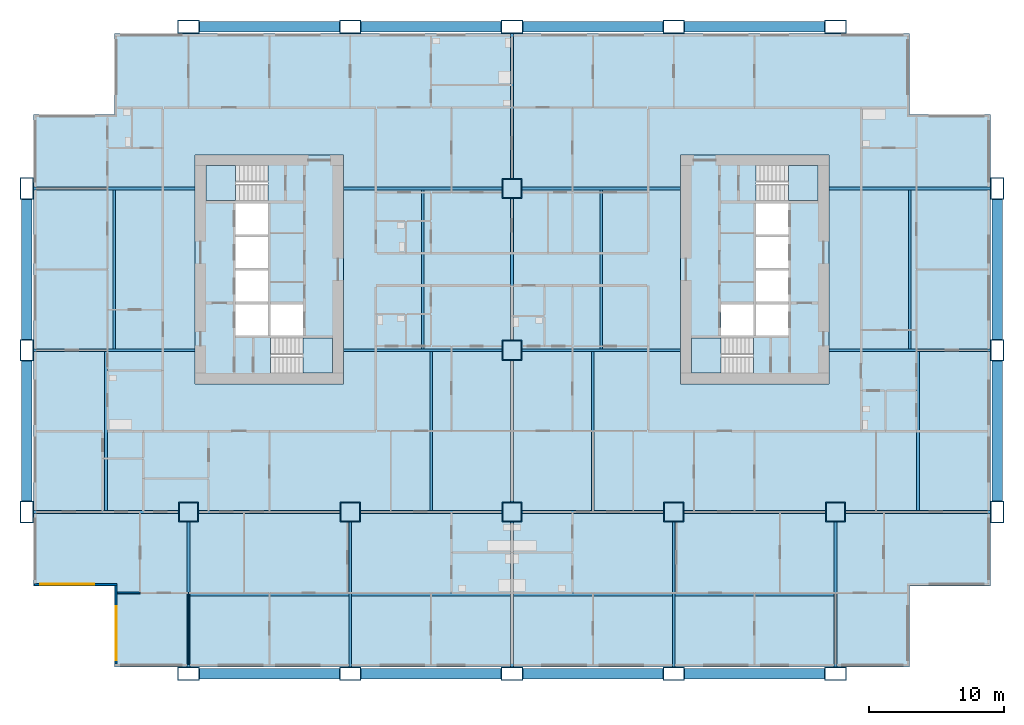
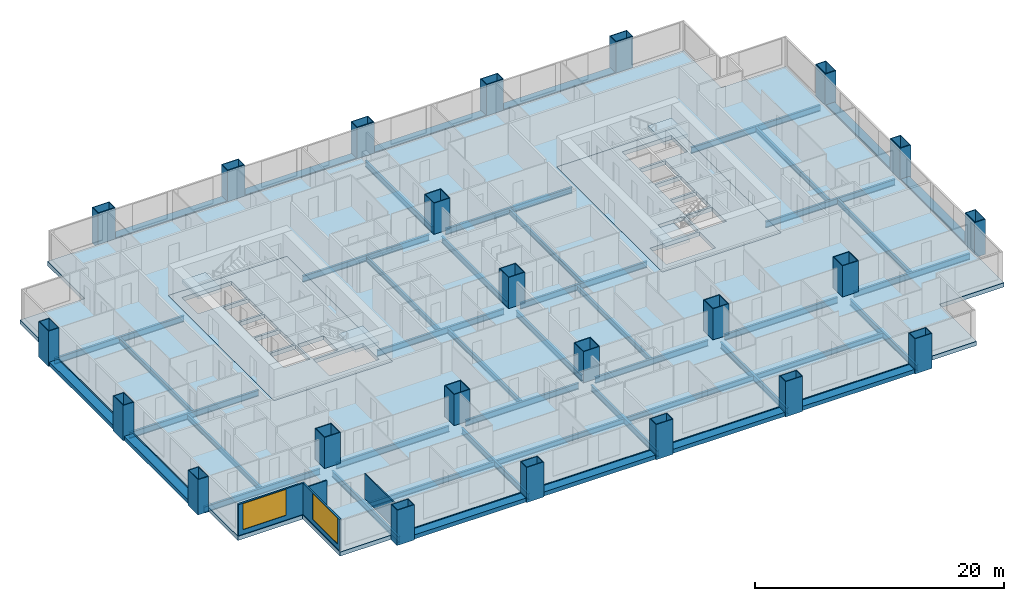
# One storey, part 1 of 14: 46 beams, 23 columns, 7 slabs, 4 walls, 2 windows, 2 openings, 4 elements without a shape of their own.
"""IFC4 building model written with IfcOpenShell, lengths in metres."""

from ifc_helpers import new_model, si_unit, direction, frame, frame_2d, origin, origin_2d, place, context, subcontext, project, spatial, polyline, rectangle, hollow_rectangle, i_section, outline, extrude, material, layer, layer_set, material_profile, profile_set, type_object, element, fill, aggregate, save


model = new_model("IFC4")

# Units and contexts
model_context = context("Model", 3, precision=1e-05, world=origin(), true_north=direction((0.0, 1.0)))
body_context = subcontext(model_context, "Body", "Model", "MODEL_VIEW")
ifc_project = project(units=[si_unit("LENGTHUNIT", "METRE"), si_unit("AREAUNIT", "SQUARE_METRE"), si_unit("VOLUMEUNIT", "CUBIC_METRE"), si_unit("PLANEANGLEUNIT", "RADIAN"), si_unit("MASSUNIT", "GRAM", prefix="KILO")], contexts=[model_context])

# Site, building, storey
site_placement = place(None, origin())
site = spatial("IfcSite", under=ifc_project, at=site_placement, CompositionType="ELEMENT")
building_placement = place(site_placement, origin())
building = spatial("IfcBuilding", under=site, at=building_placement, Name="Kitamizu Gate Tower and Museum", CompositionType="ELEMENT")
storey_placement = place(building_placement, frame((0.0, 0.0, 67.949951171875)))
storey = spatial("IfcBuildingStorey", under=building, at=storey_placement, Name="L16", CompositionType="ELEMENT", Elevation=67.949951171875)

# Columns
ifc_material_1 = material(Name="Steel SM490A bronze coated", Category="steel")
ifc_material_profile_1 = material_profile(ifc_material_1, hollow_rectangle(XDim=1.60009765625, YDim=1.0, WallThickness=0.06494140625, at=origin_2d()), Name="BOX 1600x1000x65")
ifc_profile_set_1 = profile_set([ifc_material_profile_1], Name="Steel SM490A bronze coated")
column_type_1 = type_object("IfcColumnType", Name="Exoskeleton column XC3 BOX 1600x1000x65", PredefinedType="COLUMN", material=ifc_profile_set_1)
for number, where, z_axis, x_axis, name in (
    (1, (0.0, 12.0, -0.39990234375), (0.0, 0.0, 1.0), (0.0, 1.0, 0.0), "Column XC3 1B L16"),
    (2, (0.0, 24.0, -0.39990234375), (0.0, 0.0, 1.0), (0.0, 1.0, 0.0), "Column XC3 1C L16"),
    (3, (0.0, 36.0, -0.39990234375), (0.0, 0.0, 1.0), (0.0, 1.0, 0.0), "Column XC3 1D L16"),
    (4, (12.0, 0.0, -0.39990234375), (0.0, 0.0, 1.0), (1.0, 0.0, 0.0), "Column XC3 2A L16"),
    (5, (12.0, 48.0, -0.39990234375), (0.0, 0.0, 1.0), (1.0, 0.0, 0.0), "Column XC3 2E L16"),
    (6, (24.0, 0.0, -0.39990234375), (0.0, 0.0, 1.0), (1.0, 0.0, 0.0), "Column XC3 3A L16"),
    (7, (24.0, 48.0, -0.39990234375), (0.0, 0.0, 1.0), (1.0, 0.0, 0.0), "Column XC3 3E L16"),
    (8, (36.0, 0.0, -0.39990234375), (0.0, 0.0, 1.0), (1.0, 0.0, 0.0), "Column XC3 4A L16"),
    (9, (36.0, 48.0, -0.39990234375), (0.0, 0.0, 1.0), (1.0, 0.0, 0.0), "Column XC3 4E L16"),
    (10, (48.0, 0.0, -0.39990234375), (0.0, 0.0, 1.0), (1.0, 0.0, 0.0), "Column XC3 5A L16"),
    (11, (48.0, 48.0, -0.39990234375), (0.0, 0.0, 1.0), (1.0, 0.0, 0.0), "Column XC3 5E L16"),
    (12, (60.0, 0.0, -0.39990234375), (0.0, 0.0, 1.0), (1.0, 0.0, 0.0), "Column XC3 6A L16"),
    (13, (60.0, 48.0, -0.39990234375), (0.0, 0.0, 1.0), (1.0, 0.0, 0.0), "Column XC3 6E L16"),
    (14, (72.0, 12.0, -0.39990234375), (0.0, 0.0, 1.0), (0.0, 1.0, 0.0), "Column XC3 7B L16"),
    (15, (72.0, 24.0, -0.39990234375), (0.0, 0.0, 1.0), (0.0, 1.0, 0.0), "Column XC3 7C L16"),
    (16, (72.0, 36.0, -0.39990234375), (0.0, 0.0, 1.0), (0.0, 1.0, 0.0), "Column XC3 7D L16"),
):
    element("IfcColumn", number, at=place(storey_placement, frame(where, z_axis=z_axis, x_axis=x_axis)), inside=storey, type_object=column_type_1, Name=name, PredefinedType="COLUMN", context=body_context, shape_type="SweptSolid", body=[
        extrude(hollow_rectangle(XDim=1.60009765625, YDim=1.0, WallThickness=0.06494140625, at=origin_2d()), origin(), (0.0, 0.0, 1.0), 3.449951171875),
    ])
ifc_material_2 = material(Name="Steel SM490A", Category="steel")
ifc_material_profile_2 = material_profile(ifc_material_2, hollow_rectangle(XDim=1.5, YDim=1.5, WallThickness=0.06494140625, at=origin_2d()), Name="BOX 1500x1500x65")
ifc_profile_set_2 = profile_set([ifc_material_profile_2], Name="Steel SM490A")
column_type_2 = type_object("IfcColumnType", Name="Interior column IC2 BOX 1500x1500x65", PredefinedType="COLUMN", material=ifc_profile_set_2)
for number, where, z_axis, x_axis, name in (
    (17, (12.0, 12.0, 0.0), (0.0, 0.0, 1.0), (1.0, 0.0, 0.0), "Column IC2 2B L16"),
    (18, (24.0, 12.0, 0.0), (0.0, 0.0, 1.0), (1.0, 0.0, 0.0), "Column IC2 3B L16"),
    (19, (36.0, 12.0, 0.0), (0.0, 0.0, 1.0), (1.0, 0.0, 0.0), "Column IC2 4B L16"),
    (20, (36.0, 24.0, 0.0), (0.0, 0.0, 1.0), (1.0, 0.0, 0.0), "Column IC2 4C L16"),
    (21, (36.0, 36.0, 0.0), (0.0, 0.0, 1.0), (1.0, 0.0, 0.0), "Column IC2 4D L16"),
    (22, (48.0, 12.0, 0.0), (0.0, 0.0, 1.0), (1.0, 0.0, 0.0), "Column IC2 5B L16"),
    (23, (60.0, 12.0, 0.0), (0.0, 0.0, 1.0), (1.0, 0.0, 0.0), "Column IC2 6B L16"),
):
    element("IfcColumn", number, at=place(storey_placement, frame(where, z_axis=z_axis, x_axis=x_axis)), inside=storey, type_object=column_type_2, Name=name, PredefinedType="COLUMN", context=body_context, shape_type="SweptSolid", body=[
        extrude(hollow_rectangle(XDim=1.5, YDim=1.5, WallThickness=0.06494140625, at=origin_2d()), origin(), (0.0, 0.0, 1.0), 3.050048828125),
    ])

# Beams
ifc_material_3 = material(Name="Steel SM490A bronze coated", Category="steel")
ifc_material_profile_3 = material_profile(ifc_material_3, hollow_rectangle(XDim=0.800048828125, YDim=0.39990234375, WallThickness=0.0400390625, at=origin_2d()), Name="BOX 800x400x40")
ifc_profile_set_3 = profile_set([ifc_material_profile_3], Name="Steel SM490A bronze coated")
beam_type_1 = type_object("IfcBeamType", Name="Exoskeleton spandrel beam SB1 BOX 800x400x40", PredefinedType="SPANDREL", material=ifc_profile_set_3)
for number, where, z_axis, x_axis, name in (
    (24, (12.800048828125, 0.0, -0.199951171875), (1.0, 0.0, 0.0), (0.0, 1.0, 0.0), "Exoskeleton spandrel beam south 12 L16"),
    (25, (24.800048828125, 0.0, -0.199951171875), (1.0, 0.0, 0.0), (0.0, 1.0, 0.0), "Exoskeleton spandrel beam south 24 L16"),
    (26, (36.800048828125, 0.0, -0.199951171875), (1.0, 0.0, 0.0), (0.0, 1.0, 0.0), "Exoskeleton spandrel beam south 36 L16"),
    (27, (48.800048828125, 0.0, -0.199951171875), (1.0, 0.0, 0.0), (0.0, 1.0, 0.0), "Exoskeleton spandrel beam south 48 L16"),
    (28, (12.800048828125, 48.0, -0.199951171875), (1.0, 0.0, 0.0), (0.0, 1.0, 0.0), "Exoskeleton spandrel beam north 12 L16"),
    (29, (24.800048828125, 48.0, -0.199951171875), (1.0, 0.0, 0.0), (0.0, 1.0, 0.0), "Exoskeleton spandrel beam north 24 L16"),
    (30, (36.800048828125, 48.0, -0.199951171875), (1.0, 0.0, 0.0), (0.0, 1.0, 0.0), "Exoskeleton spandrel beam north 36 L16"),
    (31, (48.800048828125, 48.0, -0.199951171875), (1.0, 0.0, 0.0), (0.0, 1.0, 0.0), "Exoskeleton spandrel beam north 48 L16"),
    (32, (0.0, 12.800048828125, -0.199951171875), (0.0, 1.0, 0.0), (-1.0, 0.0, 0.0), "Exoskeleton spandrel beam west 12 L16"),
    (33, (0.0, 24.800048828125, -0.199951171875), (0.0, 1.0, 0.0), (-1.0, 0.0, 0.0), "Exoskeleton spandrel beam west 24 L16"),
    (34, (72.0, 12.800048828125, -0.199951171875), (0.0, 1.0, 0.0), (-1.0, 0.0, 0.0), "Exoskeleton spandrel beam east 12 L16"),
    (35, (72.0, 24.800048828125, -0.199951171875), (0.0, 1.0, 0.0), (-1.0, 0.0, 0.0), "Exoskeleton spandrel beam east 24 L16"),
):
    element("IfcBeam", number, at=place(storey_placement, frame(where, z_axis=z_axis, x_axis=x_axis)), inside=storey, type_object=beam_type_1, Name=name, PredefinedType="SPANDREL", context=body_context, shape_type="SweptSolid", body=[
        extrude(hollow_rectangle(XDim=0.800048828125, YDim=0.39990234375, WallThickness=0.0400390625, at=origin_2d()), origin(), (0.0, 0.0, 1.0), 10.39990234375),
    ])
ifc_material_4 = material(Name="Steel SM490A", Category="steel")
ifc_material_profile_4 = material_profile(ifc_material_4, i_section(OverallWidth=0.199951171875, OverallDepth=0.5, WebThickness=0.010009765625, FlangeThickness=0.01611328125, FilletRadius=0.02001953125, at=origin_2d()), Name="H-500x200x10x16")
ifc_profile_set_4 = profile_set([ifc_material_profile_4], Name="Steel SM490A")
beam_type_2 = type_object("IfcBeamType", Name="Floor beam FB1 H 500x200x10x16", PredefinedType="BEAM", material=ifc_profile_set_4)
for number, where, z_axis, x_axis, name in (
    (36, (12.10009765625, 5.875, -0.64990234375), (1.0, 0.0, 0.0), (0.0, 1.0, 0.0), "Floor beam FB1 L16-1"),
    (37, (24.10009765625, 5.875, -0.64990234375), (1.0, 0.0, 0.0), (0.0, 1.0, 0.0), "Floor beam FB1 L16-2"),
    (38, (36.10009765625, 5.875, -0.64990234375), (1.0, 0.0, 0.0), (0.0, 1.0, 0.0), "Floor beam FB1 L16-3"),
    (39, (48.10009765625, 5.875, -0.64990234375), (1.0, 0.0, 0.0), (0.0, 1.0, 0.0), "Floor beam FB1 L16-4"),
    (40, (5.875, 12.10009765625, -0.64990234375), (0.0, 1.0, 0.0), (-1.0, 0.0, 0.0), "Floor beam FB1 L16-5"),
    (41, (30.0, 12.10009765625, -0.64990234375), (0.0, 1.0, 0.0), (-1.0, 0.0, 0.0), "Floor beam FB1 L16-6"),
    (42, (42.0, 12.10009765625, -0.64990234375), (0.0, 1.0, 0.0), (-1.0, 0.0, 0.0), "Floor beam FB1 L16-7"),
    (43, (66.125, 12.10009765625, -0.64990234375), (0.0, 1.0, 0.0), (-1.0, 0.0, 0.0), "Floor beam FB1 L16-8"),
    (44, (6.5, 24.10009765625, -0.64990234375), (0.0, 1.0, 0.0), (-1.0, 0.0, 0.0), "Floor beam FB1 L16-9"),
    (45, (29.375, 24.10009765625, -0.64990234375), (0.0, 1.0, 0.0), (-1.0, 0.0, 0.0), "Floor beam FB1 L16-10"),
    (46, (42.625, 24.10009765625, -0.64990234375), (0.0, 1.0, 0.0), (-1.0, 0.0, 0.0), "Floor beam FB1 L16-11"),
    (47, (65.5, 24.10009765625, -0.64990234375), (0.0, 1.0, 0.0), (-1.0, 0.0, 0.0), "Floor beam FB1 L16-12"),
):
    element("IfcBeam", number, at=place(storey_placement, frame(where, z_axis=z_axis, x_axis=x_axis)), inside=storey, type_object=beam_type_2, Name=name, PredefinedType="BEAM", context=body_context, shape_type="SweptSolid", body=[
        extrude(i_section(OverallWidth=0.199951171875, OverallDepth=0.5, WebThickness=0.010009765625, FlangeThickness=0.01611328125, FilletRadius=0.02001953125, at=origin_2d()), origin(), (0.0, 0.0, 1.0), 11.7998046875),
    ])
ifc_material_5 = material(Name="Steel SM490A", Category="steel")
ifc_material_profile_5 = material_profile(ifc_material_5, i_section(OverallWidth=0.199951171875, OverallDepth=0.60009765625, WebThickness=0.010986328125, FlangeThickness=0.01708984375, FilletRadius=0.02197265625, at=origin_2d()), Name="H-600x200x11x17")
ifc_profile_set_5 = profile_set([ifc_material_profile_5], Name="Steel SM490A")
beam_type_3 = type_object("IfcBeamType", Name="Floor girder FG1 H 600x200x11x17", PredefinedType="BEAM", material=ifc_profile_set_5)
for number, where, z_axis, x_axis, name in (
    (48, (12.0, 0.5, -0.699951171875), (0.0, 1.0, 0.0), (-1.0, 0.0, 0.0), "Floor girder FG1 x12 L16"),
    (49, (24.0, 0.5, -0.699951171875), (0.0, 1.0, 0.0), (-1.0, 0.0, 0.0), "Floor girder FG1 x24 L16"),
    (50, (36.0, 0.5, -0.699951171875), (0.0, 1.0, 0.0), (-1.0, 0.0, 0.0), "Floor girder FG1 x36 L16"),
):
    element("IfcBeam", number, at=place(storey_placement, frame(where, z_axis=z_axis, x_axis=x_axis)), inside=storey, type_object=beam_type_3, Name=name, PredefinedType="BEAM", context=body_context, shape_type="SweptSolid", body=[
        extrude(i_section(OverallWidth=0.199951171875, OverallDepth=0.60009765625, WebThickness=0.010986328125, FlangeThickness=0.01708984375, FilletRadius=0.02197265625, at=origin_2d()), origin(), (0.0, 0.0, 1.0), 10.75),
    ])
for number, where, z_axis, x_axis, name in (
    (51, (36.0, 12.75, -0.699951171875), (0.0, 1.0, 0.0), (-1.0, 0.0, 0.0), "Floor girder FG1 x36 L16"),
    (52, (36.0, 24.75, -0.699951171875), (0.0, 1.0, 0.0), (-1.0, 0.0, 0.0), "Floor girder FG1 x36 L16"),
):
    element("IfcBeam", number, at=place(storey_placement, frame(where, z_axis=z_axis, x_axis=x_axis)), inside=storey, type_object=beam_type_3, Name=name, PredefinedType="BEAM", context=body_context, shape_type="SweptSolid", body=[
        extrude(i_section(OverallWidth=0.199951171875, OverallDepth=0.60009765625, WebThickness=0.010986328125, FlangeThickness=0.01708984375, FilletRadius=0.02197265625, at=origin_2d()), origin(), (0.0, 0.0, 1.0), 10.5),
    ])
for number, where, z_axis, x_axis, name in (
    (53, (36.0, 36.75, -0.699951171875), (0.0, 1.0, 0.0), (-1.0, 0.0, 0.0), "Floor girder FG1 x36 L16"),
    (54, (48.0, 0.5, -0.699951171875), (0.0, 1.0, 0.0), (-1.0, 0.0, 0.0), "Floor girder FG1 x48 L16"),
    (55, (60.0, 0.5, -0.699951171875), (0.0, 1.0, 0.0), (-1.0, 0.0, 0.0), "Floor girder FG1 x60 L16"),
    (56, (0.5, 12.0, -0.699951171875), (1.0, 0.0, 0.0), (0.0, 1.0, 0.0), "Floor girder FG1 y12 L16"),
):
    element("IfcBeam", number, at=place(storey_placement, frame(where, z_axis=z_axis, x_axis=x_axis)), inside=storey, type_object=beam_type_3, Name=name, PredefinedType="BEAM", context=body_context, shape_type="SweptSolid", body=[
        extrude(i_section(OverallWidth=0.199951171875, OverallDepth=0.60009765625, WebThickness=0.010986328125, FlangeThickness=0.01708984375, FilletRadius=0.02197265625, at=origin_2d()), origin(), (0.0, 0.0, 1.0), 10.75),
    ])
for number, where, z_axis, x_axis, name in (
    (57, (12.75, 12.0, -0.699951171875), (1.0, 0.0, 0.0), (0.0, 1.0, 0.0), "Floor girder FG1 y12 L16"),
    (58, (24.75, 12.0, -0.699951171875), (1.0, 0.0, 0.0), (0.0, 1.0, 0.0), "Floor girder FG1 y12 L16"),
    (59, (36.75, 12.0, -0.699951171875), (1.0, 0.0, 0.0), (0.0, 1.0, 0.0), "Floor girder FG1 y12 L16"),
    (60, (48.75, 12.0, -0.699951171875), (1.0, 0.0, 0.0), (0.0, 1.0, 0.0), "Floor girder FG1 y12 L16"),
):
    element("IfcBeam", number, at=place(storey_placement, frame(where, z_axis=z_axis, x_axis=x_axis)), inside=storey, type_object=beam_type_3, Name=name, PredefinedType="BEAM", context=body_context, shape_type="SweptSolid", body=[
        extrude(i_section(OverallWidth=0.199951171875, OverallDepth=0.60009765625, WebThickness=0.010986328125, FlangeThickness=0.01708984375, FilletRadius=0.02197265625, at=origin_2d()), origin(), (0.0, 0.0, 1.0), 10.5),
    ])
beam_1_placement = place(storey_placement, frame((60.75, 12.0, -0.699951171875), z_axis=(1.0, 0.0, 0.0), x_axis=(0.0, 1.0, 0.0)))
element("IfcBeam", 61, at=beam_1_placement, inside=storey, type_object=beam_type_3, Name="Floor girder FG1 y12 L16", PredefinedType="BEAM", context=body_context, shape_type="SweptSolid", body=[
    extrude(i_section(OverallWidth=0.199951171875, OverallDepth=0.60009765625, WebThickness=0.010986328125, FlangeThickness=0.01708984375, FilletRadius=0.02197265625, at=origin_2d()), origin(), (0.0, 0.0, 1.0), 10.75),
])
beam_2_placement = place(storey_placement, frame((0.5, 24.0, -0.699951171875), z_axis=(1.0, 0.0, 0.0), x_axis=(0.0, 1.0, 0.0)))
element("IfcBeam", 62, at=beam_2_placement, inside=storey, type_object=beam_type_3, Name="Floor girder FG1 y24 L16", PredefinedType="BEAM", context=body_context, shape_type="SweptSolid", body=[
    extrude(i_section(OverallWidth=0.199951171875, OverallDepth=0.60009765625, WebThickness=0.010986328125, FlangeThickness=0.01708984375, FilletRadius=0.02197265625, at=origin_2d()), origin(), (0.0, 0.0, 1.0), 12.0),
])
for number, where, z_axis, x_axis, name in (
    (63, (23.5, 24.0, -0.699951171875), (1.0, 0.0, 0.0), (0.0, 1.0, 0.0), "Floor girder FG1 y24 L16"),
    (64, (36.75, 24.0, -0.699951171875), (1.0, 0.0, 0.0), (0.0, 1.0, 0.0), "Floor girder FG1 y24 L16"),
):
    element("IfcBeam", number, at=place(storey_placement, frame(where, z_axis=z_axis, x_axis=x_axis)), inside=storey, type_object=beam_type_3, Name=name, PredefinedType="BEAM", context=body_context, shape_type="SweptSolid", body=[
        extrude(i_section(OverallWidth=0.199951171875, OverallDepth=0.60009765625, WebThickness=0.010986328125, FlangeThickness=0.01708984375, FilletRadius=0.02197265625, at=origin_2d()), origin(), (0.0, 0.0, 1.0), 11.75),
    ])
for number, where, z_axis, x_axis, name in (
    (65, (59.5, 24.0, -0.699951171875), (1.0, 0.0, 0.0), (0.0, 1.0, 0.0), "Floor girder FG1 y24 L16"),
    (66, (0.5, 36.0, -0.699951171875), (1.0, 0.0, 0.0), (0.0, 1.0, 0.0), "Floor girder FG1 y36 L16"),
):
    element("IfcBeam", number, at=place(storey_placement, frame(where, z_axis=z_axis, x_axis=x_axis)), inside=storey, type_object=beam_type_3, Name=name, PredefinedType="BEAM", context=body_context, shape_type="SweptSolid", body=[
        extrude(i_section(OverallWidth=0.199951171875, OverallDepth=0.60009765625, WebThickness=0.010986328125, FlangeThickness=0.01708984375, FilletRadius=0.02197265625, at=origin_2d()), origin(), (0.0, 0.0, 1.0), 12.0),
    ])
for number, where, z_axis, x_axis, name in (
    (67, (23.5, 36.0, -0.699951171875), (1.0, 0.0, 0.0), (0.0, 1.0, 0.0), "Floor girder FG1 y36 L16"),
    (68, (36.75, 36.0, -0.699951171875), (1.0, 0.0, 0.0), (0.0, 1.0, 0.0), "Floor girder FG1 y36 L16"),
):
    element("IfcBeam", number, at=place(storey_placement, frame(where, z_axis=z_axis, x_axis=x_axis)), inside=storey, type_object=beam_type_3, Name=name, PredefinedType="BEAM", context=body_context, shape_type="SweptSolid", body=[
        extrude(i_section(OverallWidth=0.199951171875, OverallDepth=0.60009765625, WebThickness=0.010986328125, FlangeThickness=0.01708984375, FilletRadius=0.02197265625, at=origin_2d()), origin(), (0.0, 0.0, 1.0), 11.75),
    ])
beam_3_placement = place(storey_placement, frame((59.5, 36.0, -0.699951171875), z_axis=(1.0, 0.0, 0.0), x_axis=(0.0, 1.0, 0.0)))
element("IfcBeam", 69, at=beam_3_placement, inside=storey, type_object=beam_type_3, Name="Floor girder FG1 y36 L16", PredefinedType="BEAM", context=body_context, shape_type="SweptSolid", body=[
    extrude(i_section(OverallWidth=0.199951171875, OverallDepth=0.60009765625, WebThickness=0.010986328125, FlangeThickness=0.01708984375, FilletRadius=0.02197265625, at=origin_2d()), origin(), (0.0, 0.0, 1.0), 12.0),
])

# Slabs
ifc_material_6 = material(Name="Concrete Fc36", Category="concrete")
ifc_layer_1 = layer(ifc_material_6, 0.39990234375)
ifc_layer_set_1 = layer_set([ifc_layer_1], Name="Concrete Fc36")
slab_type_1 = type_object("IfcSlabType", Name="Core floor slab 400", PredefinedType="FLOOR", material=ifc_layer_set_1)
slab_1_placement = place(storey_placement, frame((0.0, 0.0, -0.39990234375)))
element("IfcSlab", 70, at=slab_1_placement, inside=storey, type_object=slab_type_1, Name="Core floor slab W", PredefinedType="FLOOR", context=body_context, shape_type="SweptSolid", body=[
    extrude(outline(polyline([(12.5, 21.5), (23.5, 21.5), (23.5, 38.5), (12.5, 38.5), (12.5, 21.5)]), holes=[polyline([(15.5, 25.10009765625), (17.89990234375, 25.10009765625), (17.89990234375, 27.39990234375), (15.5, 27.39990234375), (15.5, 25.10009765625)]), polyline([(15.5, 27.60009765625), (17.89990234375, 27.60009765625), (17.89990234375, 29.89990234375), (15.5, 29.89990234375), (15.5, 27.60009765625)]), polyline([(15.5, 30.10009765625), (17.89990234375, 30.10009765625), (17.89990234375, 32.39990234375), (15.5, 32.39990234375), (15.5, 30.10009765625)]), polyline([(15.5, 32.60009765625), (17.89990234375, 32.60009765625), (17.89990234375, 34.89990234375), (15.5, 34.89990234375), (15.5, 32.60009765625)]), polyline([(18.10009765625, 25.10009765625), (20.5, 25.10009765625), (20.5, 27.39990234375), (18.10009765625, 27.39990234375), (18.10009765625, 25.10009765625)]), polyline([(18.1005859375, 22.300048828125), (22.699951171875, 22.300048828125), (22.699951171875, 24.89990234375), (18.1005859375, 24.89990234375), (18.1005859375, 22.300048828125)]), polyline([(13.300048828125, 35.10009765625), (17.8994140625, 35.10009765625), (17.8994140625, 37.699951171875), (13.300048828125, 37.699951171875), (13.300048828125, 35.10009765625)])]), origin(), (0.0, 0.0, 1.0), 0.39990234375),
])
slab_2_placement = place(storey_placement, frame((0.0, 0.0, -0.39990234375)))
element("IfcSlab", 71, at=slab_2_placement, inside=storey, type_object=slab_type_1, Name="Core floor slab E", PredefinedType="FLOOR", context=body_context, shape_type="SweptSolid", body=[
    extrude(outline(polyline([(48.5, 21.5), (59.5, 21.5), (59.5, 38.5), (48.5, 38.5), (48.5, 21.5)]), holes=[polyline([(54.10009765625, 25.10009765625), (56.5, 25.10009765625), (56.5, 27.39990234375), (54.10009765625, 27.39990234375), (54.10009765625, 25.10009765625)]), polyline([(54.10009765625, 27.60009765625), (56.5, 27.60009765625), (56.5, 29.89990234375), (54.10009765625, 29.89990234375), (54.10009765625, 27.60009765625)]), polyline([(54.10009765625, 30.10009765625), (56.5, 30.10009765625), (56.5, 32.39990234375), (54.10009765625, 32.39990234375), (54.10009765625, 30.10009765625)]), polyline([(54.10009765625, 32.60009765625), (56.5, 32.60009765625), (56.5, 34.89990234375), (54.10009765625, 34.89990234375), (54.10009765625, 32.60009765625)]), polyline([(51.5, 25.10009765625), (53.89990234375, 25.10009765625), (53.89990234375, 27.39990234375), (51.5, 27.39990234375), (51.5, 25.10009765625)]), polyline([(49.300048828125, 22.300048828125), (53.8994140625, 22.300048828125), (53.8994140625, 24.89990234375), (49.300048828125, 24.89990234375), (49.300048828125, 22.300048828125)]), polyline([(54.1005859375, 35.10009765625), (58.699951171875, 35.10009765625), (58.699951171875, 37.699951171875), (54.1005859375, 37.699951171875), (54.1005859375, 35.10009765625)])]), origin(), (0.0, 0.0, 1.0), 0.39990234375),
])
ifc_material_7 = material(Name="Concrete Fc36", Category="concrete")
ifc_layer_2 = layer(ifc_material_7, 0.39990234375)
ifc_layer_set_2 = layer_set([ifc_layer_2], Name="Concrete Fc36")
slab_type_2 = type_object("IfcSlabType", Name="Post tensioned flat slab 400", PredefinedType="FLOOR", material=ifc_layer_set_2)
slab_3_placement = place(storey_placement, frame((0.0, 0.0, -0.39990234375)))
element("IfcSlab", 72, at=slab_3_placement, inside=storey, type_object=slab_type_2, Name="Floor slab L16-1", PredefinedType="FLOOR", context=body_context, shape_type="SweptSolid", body=[
    extrude(outline(polyline([(0.5, 6.5), (0.5, 41.5), (6.5, 41.5), (6.5, 47.5), (65.5, 47.5), (65.5, 41.5), (71.5, 41.5), (71.5, 6.5), (65.5, 6.5), (65.5, 0.5), (6.5, 0.5), (6.5, 6.5), (0.5, 6.5)]), holes=[polyline([(59.5, 38.5), (48.5, 38.5), (48.5, 21.5), (59.5, 21.5), (59.5, 38.5)]), polyline([(12.5, 38.5), (12.5, 21.5), (23.5, 21.5), (23.5, 38.5), (12.5, 38.5)])]), origin(), (0.0, 0.0, 1.0), 0.39990234375),
])

# Stair, slab
ifc_material_8 = material(Name="Concrete Fc42", Category="concrete")
stair_type = type_object("IfcStairType", Name="Exit stair 1200 wide 192 rise 300 going", PredefinedType="HALF_TURN_STAIR", material=ifc_material_8)
stair_1_placement = place(storey_placement, origin())
stair_1 = element("IfcStair", 73, at=stair_1_placement, inside=storey, type_object=stair_type, Name="Exit stair ST1", PredefinedType="HALF_TURN_STAIR")
ifc_material_9 = material(Name="Concrete Fc42", Category="concrete")
ifc_layer_3 = layer(ifc_material_9, 0.300048828125)
ifc_layer_set_3 = layer_set([ifc_layer_3], Name="Concrete Fc42")
slab_type_3 = type_object("IfcSlabType", Name="Stair landing 300", PredefinedType="LANDING", material=ifc_layer_set_3)
slab_4_placement = place(storey_placement, frame((0.0, 0.0, 1.425048828125)))
slab_4 = element("IfcSlab", 74, at=slab_4_placement, type_object=slab_type_3, Name="ST1 landing 1", PredefinedType="LANDING", context=body_context, shape_type="SweptSolid", body=[
    extrude(outline(polyline([(20.5, 22.300048828125), (22.699951171875, 22.300048828125), (22.699951171875, 24.89990234375), (20.5, 24.89990234375), (20.5, 22.300048828125)])), origin(), (0.0, 0.0, 1.0), 0.300048828125),
])
aggregate(stair_1, [slab_4])

stair_2_placement = place(storey_placement, origin())
stair_2 = element("IfcStair", 75, at=stair_2_placement, inside=storey, type_object=stair_type, Name="Exit stair ST2", PredefinedType="HALF_TURN_STAIR")
slab_5_placement = place(storey_placement, frame((0.0, 0.0, 1.425048828125)))
slab_5 = element("IfcSlab", 76, at=slab_5_placement, type_object=slab_type_3, Name="ST2 landing 1", PredefinedType="LANDING", context=body_context, shape_type="SweptSolid", body=[
    extrude(outline(polyline([(13.300048828125, 35.10009765625), (15.5, 35.10009765625), (15.5, 37.699951171875), (13.300048828125, 37.699951171875), (13.300048828125, 35.10009765625)])), origin(), (0.0, 0.0, 1.0), 0.300048828125),
])
aggregate(stair_2, [slab_5])

stair_3_placement = place(storey_placement, origin())
stair_3 = element("IfcStair", 77, at=stair_3_placement, inside=storey, type_object=stair_type, Name="Exit stair ST3", PredefinedType="HALF_TURN_STAIR")
slab_6_placement = place(storey_placement, frame((0.0, 0.0, 1.425048828125)))
slab_6 = element("IfcSlab", 78, at=slab_6_placement, type_object=slab_type_3, Name="ST3 landing 1", PredefinedType="LANDING", context=body_context, shape_type="SweptSolid", body=[
    extrude(outline(polyline([(49.300048828125, 22.300048828125), (51.5, 22.300048828125), (51.5, 24.89990234375), (49.300048828125, 24.89990234375), (49.300048828125, 22.300048828125)])), origin(), (0.0, 0.0, 1.0), 0.300048828125),
])
aggregate(stair_3, [slab_6])

stair_4_placement = place(storey_placement, origin())
stair_4 = element("IfcStair", 79, at=stair_4_placement, inside=storey, type_object=stair_type, Name="Exit stair ST4", PredefinedType="HALF_TURN_STAIR")
slab_7_placement = place(storey_placement, frame((0.0, 0.0, 1.425048828125)))
slab_7 = element("IfcSlab", 80, at=slab_7_placement, type_object=slab_type_3, Name="ST4 landing 1", PredefinedType="LANDING", context=body_context, shape_type="SweptSolid", body=[
    extrude(outline(polyline([(56.5, 35.10009765625), (58.699951171875, 35.10009765625), (58.699951171875, 37.699951171875), (56.5, 37.699951171875), (56.5, 35.10009765625)])), origin(), (0.0, 0.0, 1.0), 0.300048828125),
])
aggregate(stair_4, [slab_7])

# Walls
ifc_material_10 = material(Name="Gypsum board on galvanised stud")
ifc_layer_4 = layer(ifc_material_10, 0.10009765625)
ifc_layer_set_4 = layer_set([ifc_layer_4], Name="Gypsum board on galvanised stud")
wall_type_1 = type_object("IfcWallType", Name="Partition 100 NOT RATED", PredefinedType="PARTITIONING", material=ifc_layer_set_4)
wall_1_placement = place(storey_placement, frame((12.0, 0.719970703125, 0.0), z_axis=(0.0, 0.0, 1.0), x_axis=(0.0, 1.0, 0.0)))
element("IfcWall", 81, at=wall_1_placement, inside=storey, type_object=wall_type_1, Name="Partition L16-001", PredefinedType="PARTITIONING", context=body_context, shape_type="SweptSolid", body=[
    extrude(rectangle(XDim=5.280029296875, YDim=0.10009765625, at=frame_2d((2.64013671875, 0.0))), origin(), (0.0, 0.0, 1.0), 2.449951171875),
])
wall_2_placement = place(storey_placement, frame((8.4150390625, 6.0, 0.0), z_axis=(0.0, 0.0, 1.0), x_axis=(-1.0, 0.0, 0.0)))
element("IfcWall", 82, at=wall_2_placement, inside=storey, type_object=wall_type_1, Name="Partition L16-002", PredefinedType="PARTITIONING", context=body_context, shape_type="SweptSolid", body=[
    extrude(rectangle(XDim=1.695068359375, YDim=0.10009765625, at=frame_2d((0.84765625, 0.0))), origin(), (0.0, 0.0, 1.0), 3.050048828125),
])

# Wall, opening, window
ifc_material_11 = material(Name="Bronze anodised aluminium frame with insulated spandrel and tinted glass", Category="aluminium")
ifc_layer_5 = layer(ifc_material_11, 0.14990234375)
ifc_layer_set_5 = layer_set([ifc_layer_5], Name="Bronze anodised aluminium frame with insulated spandrel and tinted glass")
wall_type_2 = type_object("IfcWallType", Name="WINDOW WALL 150 BRONZE FRAME EI 30", PredefinedType="ELEMENTEDWALL", material=ifc_layer_set_5)
wall_3_placement = place(storey_placement, frame((0.56005859375, 6.635009765625, 0.0), z_axis=(0.0, 0.0, 1.0), x_axis=(1.0, 0.0, 0.0)))
wall_3 = element("IfcWall", 83, at=wall_3_placement, inside=storey, type_object=wall_type_2, Name="Window wall south L16", PredefinedType="ELEMENTEDWALL", context=body_context, shape_type="SweptSolid", body=[
    extrude(rectangle(XDim=6.14990234375, YDim=0.14990234375, at=frame_2d((3.074951171875, 0.0))), origin(), (0.0, 0.0, 1.0), 3.050048828125),
])
opening_1_placement = place(wall_3_placement, frame((0.43994140625, 0.0, 0.449951171875)))
opening_1 = element("IfcOpeningElement", 84, at=opening_1_placement, cuts=wall_3, Name="Opening W16", PredefinedType="OPENING", context=body_context, shape_type="SweptSolid", body=[
    extrude(rectangle(XDim=4.0, YDim=2.550048828125, at=frame_2d((2.0, 1.27490234375))), frame((0.0, 0.0849609375, 0.0), z_axis=(0.0, -1.0, 0.0), x_axis=(1.0, 0.0, 0.0)), (0.0, 0.0, 1.0), 0.169921875),
])
ifc_material_12 = material(Name="Bronze anodised aluminium frame, tinted triple glazing", Category="aluminium")
window_type = type_object("IfcWindowType", Name="WINDOW 4000 x 2550 SILL 450", PartitioningType="SINGLE_PANEL", PredefinedType="WINDOW", material=ifc_material_12)
window_1_placement = place(opening_1_placement, origin())
window_1 = element("IfcWindow", 85, at=window_1_placement, inside=storey, type_object=window_type, Name="Window W16 L16", OverallHeight=2.550048828125, OverallWidth=4.0, PartitioningType="SINGLE_PANEL", PredefinedType="WINDOW", context=body_context, shape_type="SweptSolid", body=[
    extrude(rectangle(XDim=4.0, YDim=2.550048828125, at=frame_2d((2.0, 1.27490234375))), frame((0.0, 0.030029296875, 0.0), z_axis=(0.0, -1.0, 0.0), x_axis=(1.0, 0.0, 0.0)), (0.0, 0.0, 1.0), 0.06005859375),
])
fill(opening_1, window_1)

wall_4_placement = place(storey_placement, frame((6.635009765625, 0.7099609375, 0.0), z_axis=(0.0, 0.0, 1.0), x_axis=(0.0, 1.0, 0.0)))
wall_4 = element("IfcWall", 86, at=wall_4_placement, inside=storey, type_object=wall_type_2, Name="Window wall west L16", PredefinedType="ELEMENTEDWALL", context=body_context, shape_type="SweptSolid", body=[
    extrude(rectangle(XDim=5.85009765625, YDim=0.14990234375, at=frame_2d((2.925048828125, 0.0))), origin(), (0.0, 0.0, 1.0), 3.050048828125),
])
opening_2_placement = place(wall_4_placement, frame((0.2900390625, 0.0, 0.449951171875)))
opening_2 = element("IfcOpeningElement", 87, at=opening_2_placement, cuts=wall_4, Name="Opening W16", PredefinedType="OPENING", context=body_context, shape_type="SweptSolid", body=[
    extrude(rectangle(XDim=4.0, YDim=2.550048828125, at=frame_2d((2.0, 1.27490234375))), frame((0.0, 0.0849609375, 0.0), z_axis=(0.0, -1.0, 0.0), x_axis=(1.0, 0.0, 0.0)), (0.0, 0.0, 1.0), 0.169921875),
])
window_2_placement = place(opening_2_placement, origin())
window_2 = element("IfcWindow", 88, at=window_2_placement, inside=storey, type_object=window_type, Name="Window W16 L16", OverallHeight=2.550048828125, OverallWidth=4.0, PartitioningType="SINGLE_PANEL", PredefinedType="WINDOW", context=body_context, shape_type="SweptSolid", body=[
    extrude(rectangle(XDim=4.0, YDim=2.550048828125, at=frame_2d((2.0, 1.27490234375))), frame((0.0, 0.030029296875, 0.0), z_axis=(0.0, -1.0, 0.0), x_axis=(1.0, 0.0, 0.0)), (0.0, 0.0, 1.0), 0.06005859375),
])
fill(opening_2, window_2)

save(model, "model.ifc")
